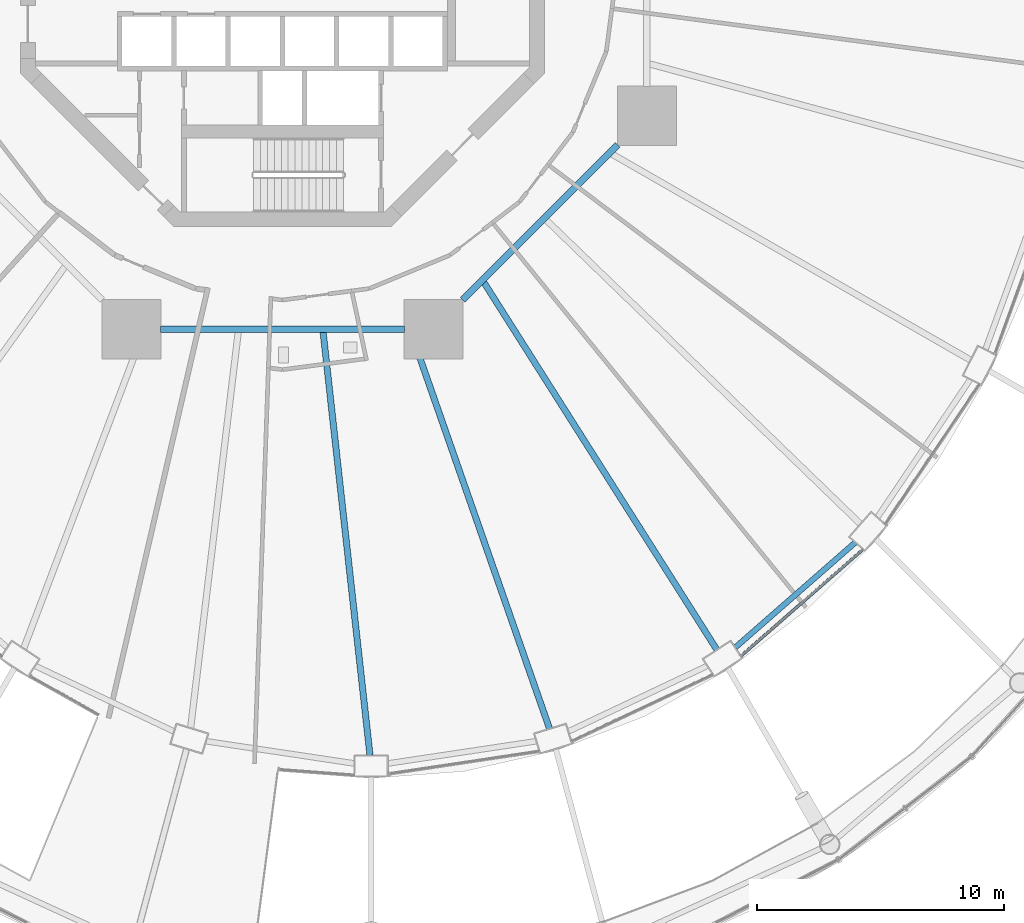
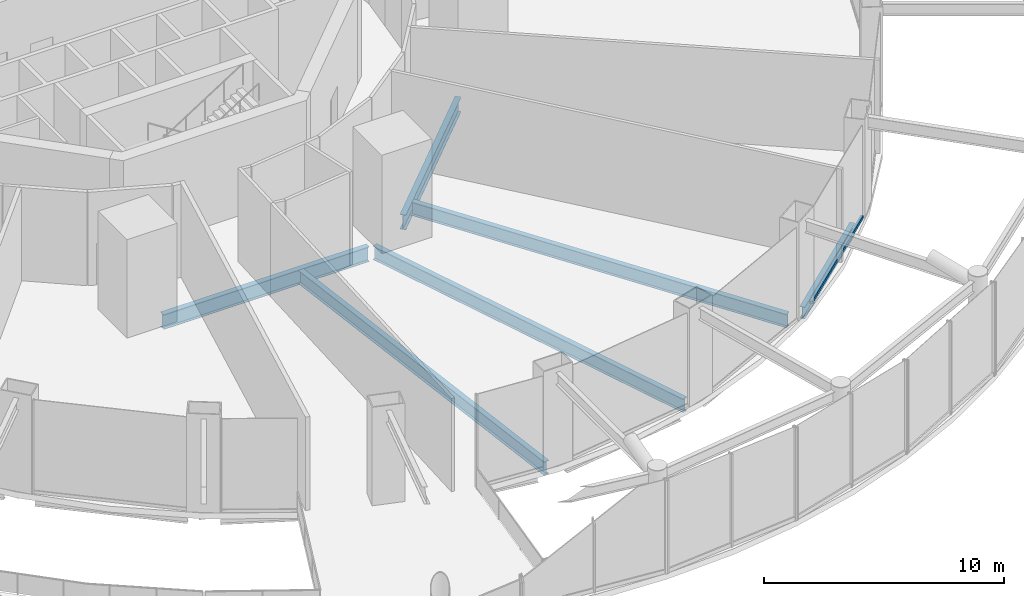
# One storey, part 13 of 52: 6 beams, 1 member, 1 element without a shape of its own.
"""IFC4 building model written with IfcOpenShell, lengths in metres."""

from ifc_helpers import new_model, si_unit, direction, frame, origin, origin_2d, place, context, subcontext, project, spatial, hollow_rectangle, i_section, extrude, material, layer, layer_set, material_profile, profile_set, type_object, element, aggregate, save


model = new_model("IFC4")

# Units and contexts
model_context = context("Model", 3, precision=1e-05, world=origin(), true_north=direction((0.0, 1.0)))
body_context = subcontext(model_context, "Body", "Model", "MODEL_VIEW")
ifc_project = project(units=[si_unit("LENGTHUNIT", "METRE"), si_unit("AREAUNIT", "SQUARE_METRE"), si_unit("VOLUMEUNIT", "CUBIC_METRE"), si_unit("PLANEANGLEUNIT", "RADIAN"), si_unit("MASSUNIT", "GRAM", prefix="KILO")], contexts=[model_context])

# Site, building, storey
site_placement = place(None, origin())
site = spatial("IfcSite", under=ifc_project, at=site_placement, CompositionType="ELEMENT")
building_placement = place(site_placement, origin())
building = spatial("IfcBuilding", under=site, at=building_placement, Name="Nagisa Residences", CompositionType="ELEMENT")
storey_placement = place(building_placement, frame((0.0, 0.0, 22.0)))
storey = spatial("IfcBuildingStorey", under=building, at=storey_placement, Name="L04", CompositionType="ELEMENT", Elevation=22.0)

# Curtain wall, member
ifc_material_1 = material(Name="Stainless steel curtain wall system", Category="steel")
ifc_layer = layer(ifc_material_1, 0.159912109375)
ifc_layer_set = layer_set([ifc_layer], Name="CW6 CURTAIN WALL")
curtain_wall_type = type_object("IfcCurtainWallType", Name="CW6 CURTAIN WALL", PredefinedType="NOTDEFINED", material=ifc_layer_set)
curtain_wall_placement = place(storey_placement, origin())
curtain_wall = element("IfcCurtainWall", 1, at=curtain_wall_placement, inside=storey, type_object=curtain_wall_type, Name="cw:CW6:L04:40", PredefinedType="NOTDEFINED")
ifc_material_2 = material(Name="Stainless steel", Category="steel")
ifc_material_profile_1 = material_profile(ifc_material_2, hollow_rectangle(XDim=0.1201171875, YDim=0.14990234375, WallThickness=0.008056640625, at=origin_2d()), Name="CW6 TRANSOM 120x150")
ifc_profile_set_1 = profile_set([ifc_material_profile_1], Name="Stainless steel")
member_type = type_object("IfcMemberType", Name="CW6 TRANSOM 120x150", PredefinedType="USERDEFINED", material=ifc_profile_set_1)
member_placement = place(storey_placement, frame((18.57470703125, -28.05810546875, 0.074951171875), z_axis=(0.753255020636, 0.657728571591, 0.0), x_axis=(-0.657728571591, 0.753255020636, 0.0)))
member = element("IfcMember", 2, at=member_placement, type_object=member_type, Name="CW6 transom", ObjectType="TRANSOM", PredefinedType="USERDEFINED", context=body_context, shape_type="SweptSolid", body=[
    extrude(hollow_rectangle(XDim=0.1201171875, YDim=0.14990234375, WallThickness=0.008056640625, at=origin_2d()), origin(), (0.0, 0.0, 1.0), 6.5732421875),
])
aggregate(curtain_wall, [member])

# Beams
ifc_material_3 = material(Name="Steel ASTM A572 Gr 50", Category="steel")
ifc_material_profile_2 = material_profile(ifc_material_3, i_section(OverallWidth=0.264892578125, OverallDepth=0.7529296875, WebThickness=0.01318359375, FlangeThickness=0.01708984375, at=origin_2d()), Name="W760x147")
ifc_profile_set_2 = profile_set([ifc_material_profile_2], Name="Steel ASTM A572 Gr 50")
beam_type_1 = type_object("IfcBeamType", Name="Inner ring beam W760x147", PredefinedType="BEAM", material=ifc_profile_set_2)
beam_1_placement = place(storey_placement, frame((-4.94287109375, -14.781982421875, -0.676513671875), z_axis=(1.0, 0.0, 0.0), x_axis=(0.0, 1.0, 0.0)))
element("IfcBeam", 3, at=beam_1_placement, inside=storey, type_object=beam_type_1, Name="beam:L04:ib6", PredefinedType="BEAM", context=body_context, shape_type="SweptSolid", body=[
    extrude(i_section(OverallWidth=0.264892578125, OverallDepth=0.7529296875, WebThickness=0.01318359375, FlangeThickness=0.01708984375, at=origin_2d()), origin(), (0.0, 0.0, 1.0), 9.8857421875),
])
beam_2_placement = place(storey_placement, frame((7.308837890625, -13.59619140625, -0.676513671875), z_axis=(0.707106781187, 0.707106781187, 0.0), x_axis=(-0.707106781187, 0.707106781187, 0.0)))
element("IfcBeam", 4, at=beam_2_placement, inside=storey, type_object=beam_type_1, Name="beam:L04:ib7", PredefinedType="BEAM", context=body_context, shape_type="SweptSolid", body=[
    extrude(i_section(OverallWidth=0.264892578125, OverallDepth=0.7529296875, WebThickness=0.01318359375, FlangeThickness=0.01708984375, at=origin_2d()), origin(), (0.0, 0.0, 1.0), 8.8916015625),
])
ifc_material_4 = material(Name="Steel ASTM A572 Gr 50", Category="steel")
ifc_material_profile_3 = material_profile(ifc_material_4, i_section(OverallWidth=0.22802734375, OverallDepth=0.60302734375, WebThickness=0.010498046875, FlangeThickness=0.014892578125, at=origin_2d()), Name="W610x101")
ifc_profile_set_3 = profile_set([ifc_material_profile_3], Name="Steel ASTM A572 Gr 50")
beam_type_2 = type_object("IfcBeamType", Name="Perimeter ring beam W610x101", PredefinedType="BEAM", material=ifc_profile_set_3)
beam_3_placement = place(storey_placement, frame((18.36669921875, -27.693603515625, -0.6015625), z_axis=(0.7525907186, 0.658488580217, 0.0), x_axis=(-0.658488580217, 0.7525907186, 0.0)))
element("IfcBeam", 5, at=beam_3_placement, inside=storey, type_object=beam_type_2, Name="beam:L04:pb21", PredefinedType="BEAM", context=body_context, shape_type="SweptSolid", body=[
    extrude(i_section(OverallWidth=0.22802734375, OverallDepth=0.60302734375, WebThickness=0.010498046875, FlangeThickness=0.014892578125, at=origin_2d()), origin(), (0.0, 0.0, 1.0), 6.470458984375),
])
ifc_material_5 = material(Name="Steel ASTM A572 Gr 50", Category="steel")
ifc_material_profile_4 = material_profile(ifc_material_5, i_section(OverallWidth=0.25390625, OverallDepth=0.68408203125, WebThickness=0.012451171875, FlangeThickness=0.018798828125, at=origin_2d()), Name="W690x140")
ifc_profile_set_4 = profile_set([ifc_material_profile_4], Name="Steel ASTM A572 Gr 50")
beam_type_3 = type_object("IfcBeamType", Name="Radial beam W690x140", PredefinedType="BEAM", material=ifc_profile_set_4)
beam_4_placement = place(storey_placement, frame((3.55224609375, -32.06982421875, -0.64208984375), z_axis=(-0.110088818647, 0.993921753464, 0.0), x_axis=(-0.993921753464, -0.110088818647, 0.0)))
element("IfcBeam", 6, at=beam_4_placement, inside=storey, type_object=beam_type_3, Name="beam:L04:rb19", PredefinedType="BEAM", context=body_context, shape_type="SweptSolid", body=[
    extrude(i_section(OverallWidth=0.25390625, OverallDepth=0.68408203125, WebThickness=0.012451171875, FlangeThickness=0.018798828125, at=origin_2d()), origin(), (0.0, 0.0, 1.0), 17.280029296875),
])
beam_5_placement = place(storey_placement, frame((10.834228515625, -30.986328125, -0.64208984375), z_axis=(-0.330051195485, 0.943963033364, 0.0), x_axis=(-0.943963033364, -0.330051195485, 0.0)))
element("IfcBeam", 7, at=beam_5_placement, inside=storey, type_object=beam_type_3, Name="beam:L04:rb20", PredefinedType="BEAM", context=body_context, shape_type="SweptSolid", body=[
    extrude(i_section(OverallWidth=0.25390625, OverallDepth=0.68408203125, WebThickness=0.012451171875, FlangeThickness=0.018798828125, at=origin_2d()), origin(), (0.0, 0.0, 1.0), 17.045654296875),
])
beam_6_placement = place(storey_placement, frame((17.61962890625, -27.78271484375, -0.64208984375), z_axis=(-0.53556610664, 0.844493306911, 0.0), x_axis=(-0.844493306911, -0.53556610664, 0.0)))
element("IfcBeam", 8, at=beam_6_placement, inside=storey, type_object=beam_type_3, Name="beam:L04:rb21", PredefinedType="BEAM", context=body_context, shape_type="SweptSolid", body=[
    extrude(i_section(OverallWidth=0.25390625, OverallDepth=0.68408203125, WebThickness=0.012451171875, FlangeThickness=0.018798828125, at=origin_2d()), origin(), (0.0, 0.0, 1.0), 17.63525390625),
])

save(model, "model.ifc")
